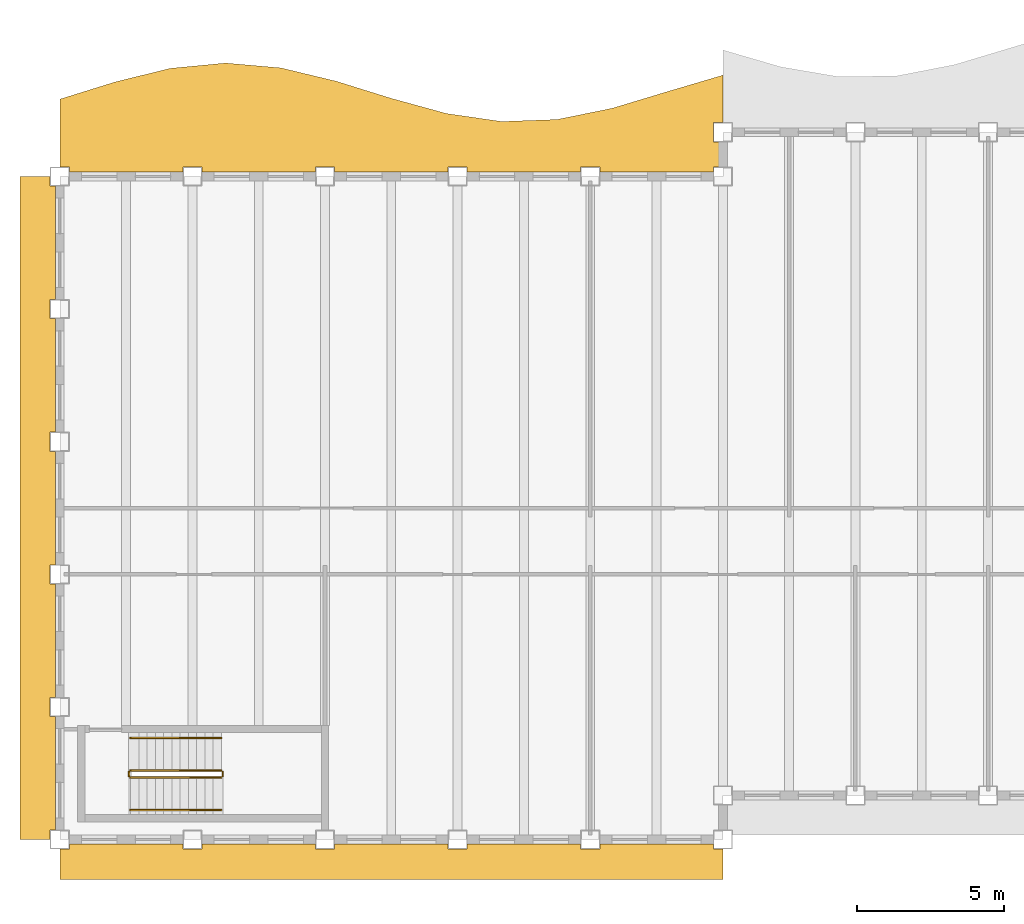
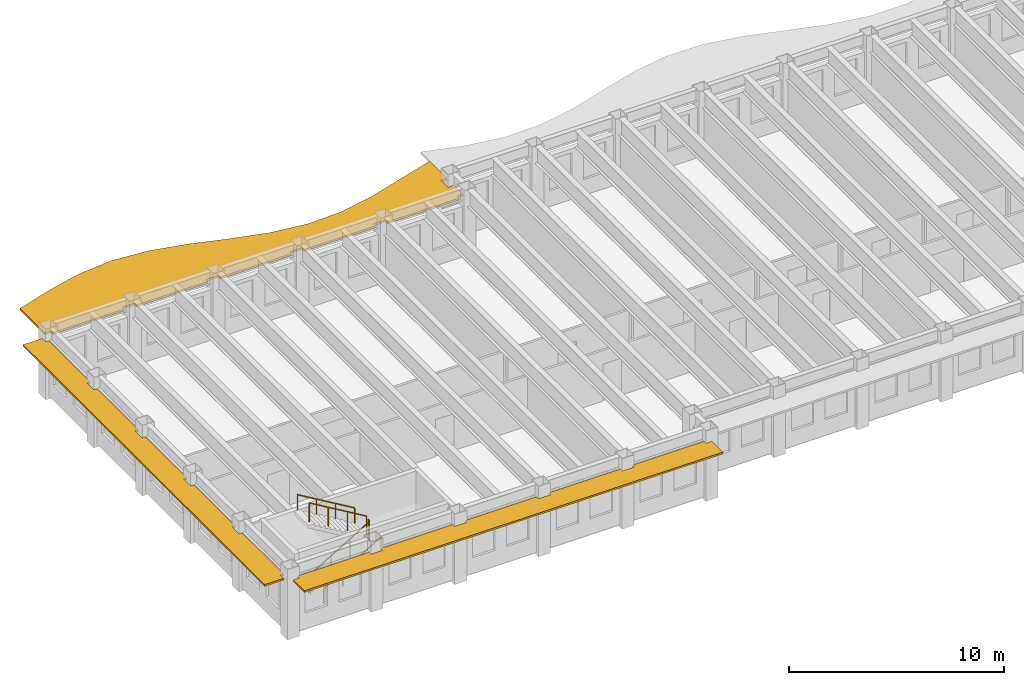
# One storey, part 8 of 12: 6 railings, 3 shading devices.
"""IFC4 building model written with IfcOpenShell, lengths in metres."""

from ifc_helpers import new_model, si_unit, direction, frame, origin, origin_2d, place, context, subcontext, project, spatial, polyline, rectangle, outline, extrude, material, layer, layer_set, type_object, element, save


model = new_model("IFC4")

# Units and contexts
model_context = context("Model", 3, precision=1e-05, world=origin(), true_north=direction((0.0, 1.0)))
body_context = subcontext(model_context, "Body", "Model", "MODEL_VIEW")
ifc_project = project(units=[si_unit("LENGTHUNIT", "METRE"), si_unit("AREAUNIT", "SQUARE_METRE"), si_unit("VOLUMEUNIT", "CUBIC_METRE"), si_unit("PLANEANGLEUNIT", "RADIAN"), si_unit("MASSUNIT", "GRAM", prefix="KILO")], contexts=[model_context])

# Site, building, storey
site_placement = place(None, origin())
site = spatial("IfcSite", under=ifc_project, at=site_placement, CompositionType="ELEMENT")
building_placement = place(site_placement, origin())
building = spatial("IfcBuilding", under=site, at=building_placement, Name="Sennacour Bend Tower", CompositionType="ELEMENT")
storey_placement = place(building_placement, frame((0.0, 0.0, 249.0)))
storey = spatial("IfcBuildingStorey", under=building, at=storey_placement, Name="L57", CompositionType="ELEMENT", Elevation=249.0)

# Railings
ifc_material_1 = material(Name="Stainless steel", Category="steel")
railing_type_1 = type_object("IfcRailingType", Name="RL-GUARD-1100", PredefinedType="GUARDRAIL", material=ifc_material_1)
railing_1_placement = place(storey_placement, frame((2.39990234375, 2.10009765625, 0.166748046875)))
element("IfcRailing", 1, at=railing_1_placement, inside=storey, type_object=railing_type_1, Name="L57 SK1 stair guard 1", PredefinedType="GUARDRAIL", context=body_context, shape_type="SweptSolid", body=[
    extrude(rectangle(XDim=0.048095703125, YDim=0.048095703125, at=origin_2d()), frame((0.0, 0.0, 1.076171875), z_axis=(0.859308565015, 0.0, 0.511457515432), x_axis=(0.0, 1.0, 0.0)), (0.0, 0.0, 1.0), 3.58447265625),
    extrude(rectangle(XDim=0.0419921875, YDim=0.0419921875, at=origin_2d()), origin(), (0.0, 0.0, 1.0), 1.052001953125),
    extrude(rectangle(XDim=0.0419921875, YDim=0.0419921875, at=origin_2d()), frame((1.026611328125, 0.0, 0.611083984375)), (0.0, 0.0, 1.0), 1.052001953125),
    extrude(rectangle(XDim=0.0419921875, YDim=0.0419921875, at=origin_2d()), frame((2.053466796875, 0.0, 1.22216796875)), (0.0, 0.0, 1.0), 1.052001953125),
    extrude(rectangle(XDim=0.0419921875, YDim=0.0419921875, at=origin_2d()), frame((3.080078125, 0.0, 1.833251953125)), (0.0, 0.0, 1.0), 1.052001953125),
])
railing_2_placement = place(storey_placement, frame((5.530029296875, 2.14990234375, 2.0)))
element("IfcRailing", 2, at=railing_2_placement, inside=storey, type_object=railing_type_1, Name="L57 SK1 stair guard 2", PredefinedType="GUARDRAIL", context=body_context, shape_type="SweptSolid", body=[
    extrude(rectangle(XDim=0.048095703125, YDim=0.048095703125, at=origin_2d()), frame((0.0, 0.0, 1.076171875), z_axis=(0.0, 1.0, 0.0), x_axis=(-1.0, 0.0, 0.0)), (0.0, 0.0, 1.0), 0.150146484375),
    extrude(rectangle(XDim=0.0419921875, YDim=0.0419921875, at=origin_2d()), origin(), (0.0, 0.0, 1.0), 1.052001953125),
    extrude(rectangle(XDim=0.0419921875, YDim=0.0419921875, at=origin_2d()), frame((0.0, 0.150146484375, 0.0)), (0.0, 0.0, 1.0), 1.052001953125),
])
railing_3_placement = place(storey_placement, frame((5.47998046875, 2.35009765625, 2.166748046875)))
element("IfcRailing", 3, at=railing_3_placement, inside=storey, type_object=railing_type_1, Name="L57 SK1 stair guard 3", PredefinedType="GUARDRAIL", context=body_context, shape_type="SweptSolid", body=[
    extrude(rectangle(XDim=0.048095703125, YDim=0.048095703125, at=origin_2d()), frame((0.0, 0.0, 1.076171875), z_axis=(-0.859308565015, 0.0, 0.511457515432), x_axis=(0.0, -1.0, 0.0)), (0.0, 0.0, 1.0), 3.58447265625),
    extrude(rectangle(XDim=0.0419921875, YDim=0.0419921875, at=origin_2d()), origin(), (0.0, 0.0, 1.0), 1.052001953125),
    extrude(rectangle(XDim=0.0419921875, YDim=0.0419921875, at=origin_2d()), frame((-1.026611328125, 0.0, 0.611083984375)), (0.0, 0.0, 1.0), 1.052001953125),
    extrude(rectangle(XDim=0.0419921875, YDim=0.0419921875, at=origin_2d()), frame((-2.053466796875, 0.0, 1.22216796875)), (0.0, 0.0, 1.0), 1.052001953125),
    extrude(rectangle(XDim=0.0419921875, YDim=0.0419921875, at=origin_2d()), frame((-3.080078125, 0.0, 1.833251953125)), (0.0, 0.0, 1.0), 1.052001953125),
])
railing_4_placement = place(storey_placement, frame((2.35009765625, 2.14990234375, 0.0)))
element("IfcRailing", 4, at=railing_4_placement, inside=storey, type_object=railing_type_1, Name="L57 SK1 stair guard 4", PredefinedType="GUARDRAIL", context=body_context, shape_type="SweptSolid", body=[
    extrude(rectangle(XDim=0.048095703125, YDim=0.048095703125, at=origin_2d()), frame((0.0, 0.0, 1.076171875), z_axis=(0.0, 1.0, 0.0), x_axis=(-1.0, 0.0, 0.0)), (0.0, 0.0, 1.0), 0.150146484375),
    extrude(rectangle(XDim=0.0419921875, YDim=0.0419921875, at=origin_2d()), origin(), (0.0, 0.0, 1.0), 1.052001953125),
    extrude(rectangle(XDim=0.0419921875, YDim=0.0419921875, at=origin_2d()), frame((0.0, 0.150146484375, 0.0)), (0.0, 0.0, 1.0), 1.052001953125),
])
railing_type_2 = type_object("IfcRailingType", Name="RL-HANDRAIL-900", PredefinedType="HANDRAIL", material=ifc_material_1)
railing_5_placement = place(storey_placement, frame((2.39990234375, 1.0, 0.166748046875)))
element("IfcRailing", 5, at=railing_5_placement, inside=storey, type_object=railing_type_2, Name="L57 SK1 stair handrail 1", PredefinedType="HANDRAIL", context=body_context, shape_type="SweptSolid", body=[
    extrude(rectangle(XDim=0.048095703125, YDim=0.048095703125, at=origin_2d()), frame((0.0, 0.0, 0.8759765625), z_axis=(0.859308565015, 0.0, 0.511457515432), x_axis=(0.0, 1.0, 0.0)), (0.0, 0.0, 1.0), 3.58447265625),
    extrude(rectangle(XDim=0.0419921875, YDim=0.0419921875, at=origin_2d()), origin(), (0.0, 0.0, 1.0), 0.851806640625),
    extrude(rectangle(XDim=0.0419921875, YDim=0.0419921875, at=origin_2d()), frame((1.026611328125, 0.0, 0.611083984375)), (0.0, 0.0, 1.0), 0.851806640625),
    extrude(rectangle(XDim=0.0419921875, YDim=0.0419921875, at=origin_2d()), frame((2.053466796875, 0.0, 1.22216796875)), (0.0, 0.0, 1.0), 0.851806640625),
    extrude(rectangle(XDim=0.0419921875, YDim=0.0419921875, at=origin_2d()), frame((3.080078125, 0.0, 1.833251953125)), (0.0, 0.0, 1.0), 0.851806640625),
])
railing_6_placement = place(storey_placement, frame((5.47998046875, 3.449951171875, 2.166748046875)))
element("IfcRailing", 6, at=railing_6_placement, inside=storey, type_object=railing_type_2, Name="L57 SK1 stair handrail 2", PredefinedType="HANDRAIL", context=body_context, shape_type="SweptSolid", body=[
    extrude(rectangle(XDim=0.048095703125, YDim=0.048095703125, at=origin_2d()), frame((0.0, 0.0, 0.8759765625), z_axis=(-0.859308565015, 0.0, 0.511457515432), x_axis=(0.0, -1.0, 0.0)), (0.0, 0.0, 1.0), 3.58447265625),
    extrude(rectangle(XDim=0.0419921875, YDim=0.0419921875, at=origin_2d()), origin(), (0.0, 0.0, 1.0), 0.851806640625),
    extrude(rectangle(XDim=0.0419921875, YDim=0.0419921875, at=origin_2d()), frame((-1.026611328125, 0.0, 0.611083984375)), (0.0, 0.0, 1.0), 0.851806640625),
    extrude(rectangle(XDim=0.0419921875, YDim=0.0419921875, at=origin_2d()), frame((-2.053466796875, 0.0, 1.22216796875)), (0.0, 0.0, 1.0), 0.851806640625),
    extrude(rectangle(XDim=0.0419921875, YDim=0.0419921875, at=origin_2d()), frame((-3.080078125, 0.0, 1.833251953125)), (0.0, 0.0, 1.0), 0.851806640625),
])

# Shading devices
ifc_material_2 = material(Name="Bronze anodised aluminium", Category="aluminium")
ifc_layer_1 = layer(ifc_material_2, 0.10009765625, Name="Bronze anodised aluminium", Category="aluminium")
ifc_layer_set_1 = layer_set([ifc_layer_1], Name="Bronze anodised aluminium")
shading_device_type_1 = type_object("IfcShadingDeviceType", Name="SUNSHADE BAND STRAIGHT", PredefinedType="USERDEFINED", material=ifc_layer_set_1)
shading_device_1_placement = place(storey_placement, frame((0.0, 0.0, 3.06201171875)))
element("IfcShadingDevice", 7, at=shading_device_1_placement, inside=storey, type_object=shading_device_type_1, Name="Sunshade band L57 K outer face", ObjectType="SUNSHADE", PredefinedType="USERDEFINED", context=body_context, shape_type="SweptSolid", body=[
    extrude(outline(polyline([(-0.14990234375, 18.324951171875), (-0.324951171875, 18.324951171875), (-0.324951171875, 17.675048828125), (-0.14990234375, 17.675048828125), (-0.14990234375, 13.824951171875), (-0.324951171875, 13.824951171875), (-0.324951171875, 13.175048828125), (-0.14990234375, 13.175048828125), (-0.14990234375, 9.324951171875), (-0.324951171875, 9.324951171875), (-0.324951171875, 8.675048828125), (-0.14990234375, 8.675048828125), (-0.14990234375, 4.824951171875), (-0.324951171875, 4.824951171875), (-0.324951171875, 4.175048828125), (-0.14990234375, 4.175048828125), (-0.14990234375, 0.324951171875), (-0.324951171875, 0.324951171875), (-0.324951171875, 0.0), (-1.35009765625, 0.0), (-1.35009765625, 22.5), (-0.324951171875, 22.5), (-0.324951171875, 22.175048828125), (-0.14990234375, 22.175048828125), (-0.14990234375, 18.324951171875)])), origin(), (0.0, 0.0, 1.0), 0.10009765625),
])
shading_device_2_placement = place(storey_placement, frame((0.0, 0.0, 3.06201171875)))
element("IfcShadingDevice", 8, at=shading_device_2_placement, inside=storey, type_object=shading_device_type_1, Name="Sunshade band L57 K outer face", ObjectType="SUNSHADE", PredefinedType="USERDEFINED", context=body_context, shape_type="SweptSolid", body=[
    extrude(outline(polyline([(4.175048828125, -0.14990234375), (4.175048828125, -0.324951171875), (4.824951171875, -0.324951171875), (4.824951171875, -0.14990234375), (8.675048828125, -0.14990234375), (8.675048828125, -0.324951171875), (9.324951171875, -0.324951171875), (9.324951171875, -0.14990234375), (13.175048828125, -0.14990234375), (13.175048828125, -0.324951171875), (13.824951171875, -0.324951171875), (13.824951171875, -0.14990234375), (17.675048828125, -0.14990234375), (17.675048828125, -0.324951171875), (18.324951171875, -0.324951171875), (18.324951171875, -0.14990234375), (22.175048828125, -0.14990234375), (22.175048828125, -0.324951171875), (22.5, -0.324951171875), (22.5, -1.35009765625), (0.0, -1.35009765625), (0.0, -0.324951171875), (0.324951171875, -0.324951171875), (0.324951171875, -0.14990234375), (4.175048828125, -0.14990234375)])), origin(), (0.0, 0.0, 1.0), 0.10009765625),
])
ifc_layer_2 = layer(ifc_material_2, 0.1201171875, Name="Bronze anodised aluminium", Category="aluminium")
ifc_layer_set_2 = layer_set([ifc_layer_2], Name="Bronze anodised aluminium")
shading_device_type_2 = type_object("IfcShadingDeviceType", Name="SUNSHADE BAND WAVE", PredefinedType="USERDEFINED", material=ifc_layer_set_2)
shading_device_3_placement = place(storey_placement, frame((0.0, 0.0, 3.0419921875)))
element("IfcShadingDevice", 9, at=shading_device_3_placement, inside=storey, type_object=shading_device_type_2, Name="Sunshade band L57 concave faces", ObjectType="SUNSHADE", PredefinedType="USERDEFINED", context=body_context, shape_type="SweptSolid", body=[
    extrude(outline(polyline([(22.175048828125, 22.64990234375), (18.324951171875, 22.64990234375), (18.324951171875, 22.824951171875), (17.675048828125, 22.824951171875), (17.675048828125, 22.64990234375), (13.824951171875, 22.64990234375), (13.824951171875, 22.824951171875), (13.175048828125, 22.824951171875), (13.175048828125, 22.64990234375), (9.324951171875, 22.64990234375), (9.324951171875, 22.824951171875), (8.675048828125, 22.824951171875), (8.675048828125, 22.64990234375), (4.824951171875, 22.64990234375), (4.824951171875, 22.824951171875), (4.175048828125, 22.824951171875), (4.175048828125, 22.64990234375), (0.324951171875, 22.64990234375), (0.324951171875, 22.824951171875), (0.0, 22.824951171875), (0.0, 25.12353515625), (1.875, 25.70849609375), (3.75, 26.170166015625), (5.625, 26.349853515625), (7.5, 26.18603515625), (9.375, 25.73486328125), (11.25, 25.1513671875), (13.125, 24.63623046875), (15.0, 24.3662109375), (16.875, 24.4345703125), (18.75, 24.8173828125), (20.625, 25.38330078125), (22.5, 25.937744140625), (22.5, 24.324951171875), (22.175048828125, 24.324951171875), (22.175048828125, 23.675048828125), (22.5, 23.675048828125), (22.5, 22.824951171875), (22.175048828125, 22.824951171875), (22.175048828125, 22.64990234375)])), origin(), (0.0, 0.0, 1.0), 0.1201171875),
])

save(model, "model.ifc")
